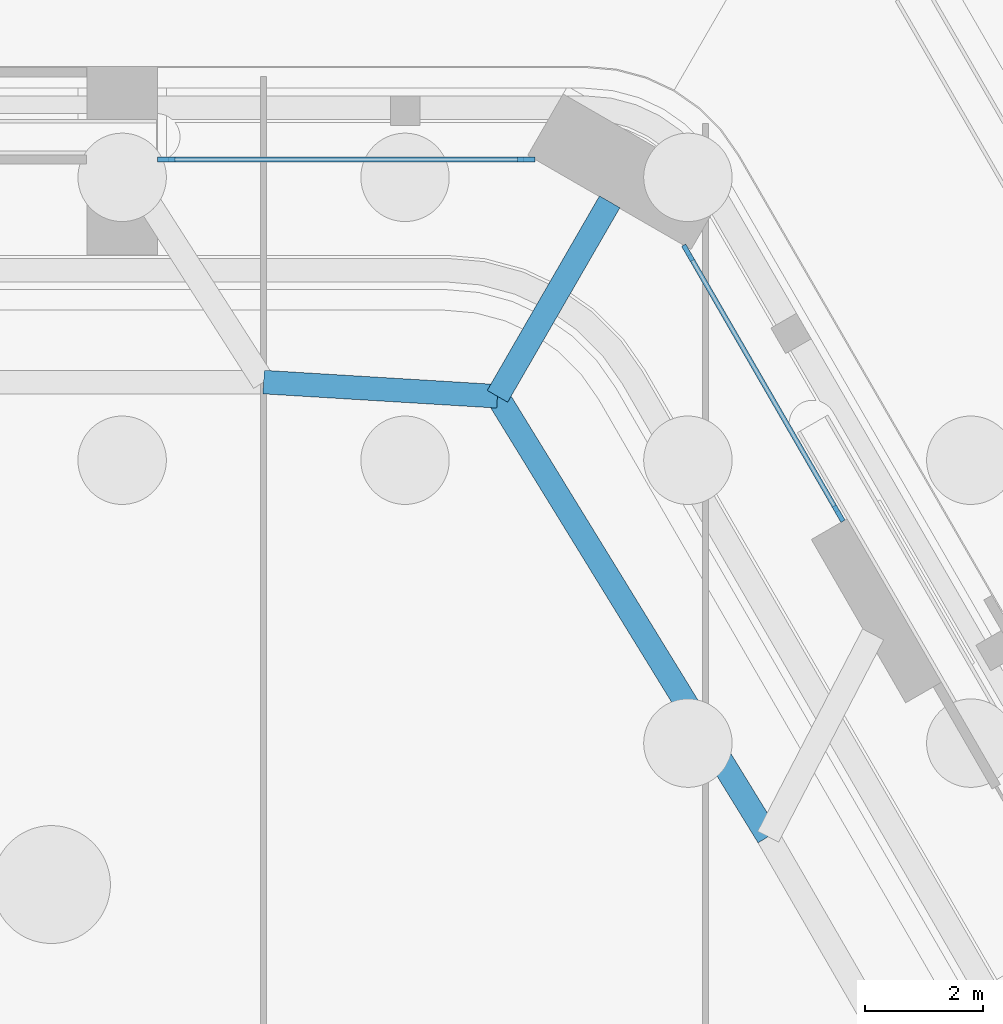
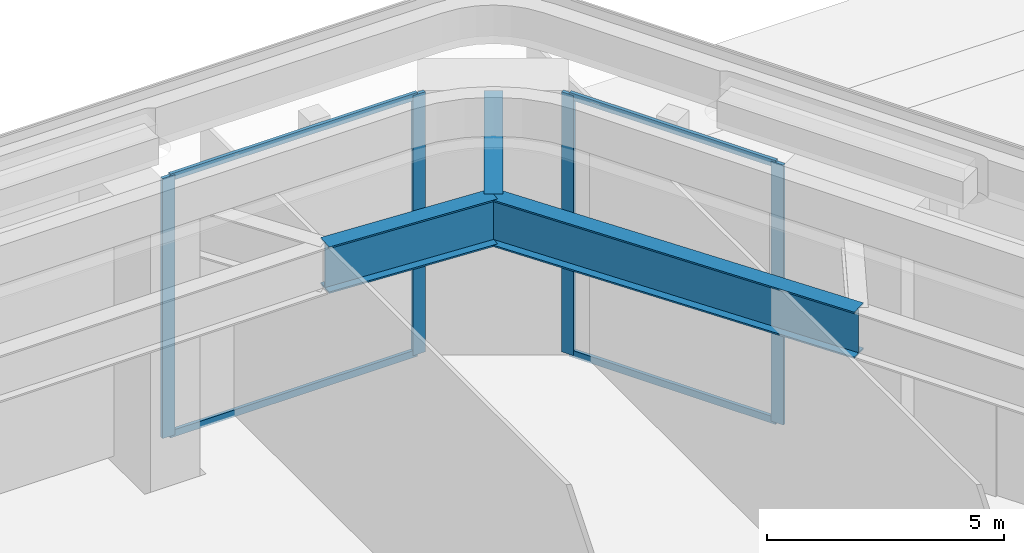
# One storey, part 9 of 68: 8 members, 3 beams, 2 elements without a shape of their own.
"""IFC4 building model written with IfcOpenShell, lengths in metres."""

from ifc_helpers import new_model, si_unit, direction, frame, origin, origin_2d, place, context, subcontext, project, spatial, rectangle, i_section, extrude, material, material_profile, profile_set, type_object, element, aggregate, save


model = new_model("IFC4")

# Units and contexts
model_context = context("Model", 3, precision=1e-05, world=origin(), true_north=direction((0.0, 1.0)))
body_context = subcontext(model_context, "Body", "Model", "MODEL_VIEW")
ifc_project = project(units=[si_unit("LENGTHUNIT", "METRE"), si_unit("AREAUNIT", "SQUARE_METRE"), si_unit("VOLUMEUNIT", "CUBIC_METRE"), si_unit("PLANEANGLEUNIT", "RADIAN"), si_unit("MASSUNIT", "GRAM", prefix="KILO")], contexts=[model_context])

# Site, building, storey
site_placement = place(None, origin())
site = spatial("IfcSite", under=ifc_project, at=site_placement, CompositionType="ELEMENT")
building_placement = place(site_placement, origin())
building = spatial("IfcBuilding", under=site, at=building_placement, Name="Kolab Exchange Tower", CompositionType="ELEMENT")
storey_placement = place(building_placement, origin())
storey = spatial("IfcBuildingStorey", under=building, at=storey_placement, Name="L00", CompositionType="ELEMENT", Elevation=0.0)

# Curtain wall, members
ifc_material_1 = material(Name="Aluminium EN AW-6063 T6", Category="aluminium")
curtain_wall_type = type_object("IfcCurtainWallType", Name="PODIUM STRUCTURAL GLAZING CURTAIN WALL", PredefinedType="NOTDEFINED", material=ifc_material_1)
curtain_wall_1_placement = place(storey_placement, origin())
curtain_wall_1 = element("IfcCurtainWall", 1, at=curtain_wall_1_placement, inside=storey, type_object=curtain_wall_type, Name="cw/L00/F1-2", PredefinedType="NOTDEFINED")
ifc_material_profile_1 = material_profile(ifc_material_1, rectangle(XDim=0.080078125, YDim=0.300048828125, at=origin_2d()), Name="RECT 80X300")
ifc_profile_set_1 = profile_set([ifc_material_profile_1], Name="Aluminium EN AW-6063 T6")
member_type_1 = type_object("IfcMemberType", Name="PODIUM STRUCTURAL GLAZING MULLION 80 X 300", PredefinedType="MULLION", material=ifc_profile_set_1)
member_1_placement = place(storey_placement, frame((19.949951171875, 48.302978515625, 0.0), z_axis=(0.0, 0.0, 1.0), x_axis=(0.0, 1.0, 0.0)))
member_1 = element("IfcMember", 2, at=member_1_placement, type_object=member_type_1, Name="CW5 mullion 1", PredefinedType="MULLION", context=body_context, shape_type="SweptSolid", body=[
    extrude(rectangle(XDim=0.080078125, YDim=0.300048828125, at=origin_2d()), origin(), (0.0, 0.0, 1.0), 6.699951171875),
])
member_2_placement = place(storey_placement, frame((26.058349609375, 48.302978515625, 0.0), z_axis=(0.0, 0.0, 1.0), x_axis=(0.0, 1.0, 0.0)))
member_2 = element("IfcMember", 3, at=member_2_placement, type_object=member_type_1, Name="CW5 mullion 2", PredefinedType="MULLION", context=body_context, shape_type="SweptSolid", body=[
    extrude(rectangle(XDim=0.080078125, YDim=0.300048828125, at=origin_2d()), origin(), (0.0, 0.0, 1.0), 6.699951171875),
])

curtain_wall_2_placement = place(storey_placement, origin())
curtain_wall_2 = element("IfcCurtainWall", 4, at=curtain_wall_2_placement, inside=storey, type_object=curtain_wall_type, Name="cw/L00/F2-1", PredefinedType="NOTDEFINED")
member_3_placement = place(storey_placement, frame((28.802490234375, 46.71875, 0.0), z_axis=(0.0, 0.0, 1.0), x_axis=(0.866025433568, 0.499999948413, 0.0)))
member_3 = element("IfcMember", 5, at=member_3_placement, type_object=member_type_1, Name="CW5 mullion 1", PredefinedType="MULLION", context=body_context, shape_type="SweptSolid", body=[
    extrude(rectangle(XDim=0.080078125, YDim=0.300048828125, at=origin_2d()), origin(), (0.0, 0.0, 1.0), 6.699951171875),
])
member_4_placement = place(storey_placement, frame((31.356689453125, 42.294677734375, 0.0), z_axis=(0.0, 0.0, 1.0), x_axis=(0.866025433568, 0.499999948413, 0.0)))
member_4 = element("IfcMember", 6, at=member_4_placement, type_object=member_type_1, Name="CW5 mullion 2", PredefinedType="MULLION", context=body_context, shape_type="SweptSolid", body=[
    extrude(rectangle(XDim=0.080078125, YDim=0.300048828125, at=origin_2d()), origin(), (0.0, 0.0, 1.0), 6.699951171875),
])

# Member
ifc_material_profile_2 = material_profile(ifc_material_1, rectangle(XDim=0.080078125, YDim=0.179931640625, at=origin_2d()), Name="RECT 80X180")
ifc_profile_set_2 = profile_set([ifc_material_profile_2], Name="Aluminium EN AW-6063 T6")
member_type_2 = type_object("IfcMemberType", Name="PODIUM STRUCTURAL GLAZING TRANSOM 80 X 180", PredefinedType="USERDEFINED", material=ifc_profile_set_2)
member_5_placement = place(storey_placement, frame((19.989990234375, 48.302978515625, 0.0400390625), z_axis=(1.0, 0.0, 0.0), x_axis=(0.0, 1.0, 0.0)))
member_5 = element("IfcMember", 7, at=member_5_placement, type_object=member_type_2, Name="CW5 transom 1.1", ObjectType="TRANSOM", PredefinedType="USERDEFINED", context=body_context, shape_type="SweptSolid", body=[
    extrude(rectangle(XDim=0.080078125, YDim=0.179931640625, at=origin_2d()), origin(), (0.0, 0.0, 1.0), 6.028564453125),
])

member_6_placement = place(storey_placement, frame((19.989990234375, 48.302978515625, 6.659912109375), z_axis=(1.0, 0.0, 0.0), x_axis=(0.0, 1.0, 0.0)))
member_6 = element("IfcMember", 8, at=member_6_placement, type_object=member_type_2, Name="CW5 transom 1.2", ObjectType="TRANSOM", PredefinedType="USERDEFINED", context=body_context, shape_type="SweptSolid", body=[
    extrude(rectangle(XDim=0.080078125, YDim=0.179931640625, at=origin_2d()), origin(), (0.0, 0.0, 1.0), 6.028564453125),
])

aggregate(curtain_wall_1, [member_1, member_2, member_5, member_6])

member_7_placement = place(storey_placement, frame((28.822509765625, 46.68408203125, 0.0400390625), z_axis=(0.49999283541, -0.866029540223, 0.0), x_axis=(0.866029540223, 0.49999283541, 0.0)))
member_7 = element("IfcMember", 9, at=member_7_placement, type_object=member_type_2, Name="CW5 transom 1.1", ObjectType="TRANSOM", PredefinedType="USERDEFINED", context=body_context, shape_type="SweptSolid", body=[
    extrude(rectangle(XDim=0.080078125, YDim=0.179931640625, at=origin_2d()), origin(), (0.0, 0.0, 1.0), 5.0283203125),
])

member_8_placement = place(storey_placement, frame((28.822509765625, 46.68408203125, 6.659912109375), z_axis=(0.49999283541, -0.866029540223, 0.0), x_axis=(0.866029540223, 0.49999283541, 0.0)))
member_8 = element("IfcMember", 10, at=member_8_placement, type_object=member_type_2, Name="CW5 transom 1.2", ObjectType="TRANSOM", PredefinedType="USERDEFINED", context=body_context, shape_type="SweptSolid", body=[
    extrude(rectangle(XDim=0.080078125, YDim=0.179931640625, at=origin_2d()), origin(), (0.0, 0.0, 1.0), 5.0283203125),
])

aggregate(curtain_wall_2, [member_3, member_4, member_7, member_8])

# Beams
ifc_material_2 = material(Name="Steel S355", Category="steel")
ifc_material_profile_3 = material_profile(ifc_material_2, i_section(OverallWidth=0.39990234375, OverallDepth=1.199951171875, WebThickness=0.02490234375, FlangeThickness=0.0400390625, at=origin_2d()), Name="PG1200X400")
ifc_profile_set_3 = profile_set([ifc_material_profile_3], Name="Steel S355")
beam_type = type_object("IfcBeamType", Name="TRANSFER GIRDER PG1200X400", PredefinedType="BEAM", material=ifc_profile_set_3)
beam_1_placement = place(storey_placement, frame((25.56787109375, 44.284912109375, 6.10009765625), z_axis=(0.500005339912, 0.866022320763, 0.0), x_axis=(-0.866022320763, 0.500005339912, 0.0)))
element("IfcBeam", 11, at=beam_1_placement, inside=storey, type_object=beam_type, Name="beam/L00/tg/P1-F2-01", PredefinedType="BEAM", context=body_context, shape_type="SweptSolid", body=[
    extrude(i_section(OverallWidth=0.39990234375, OverallDepth=1.199951171875, WebThickness=0.02490234375, FlangeThickness=0.0400390625, at=origin_2d()), origin(), (0.0, 0.0, 1.0), 3.81005859375),
])
beam_2_placement = place(storey_placement, frame((21.60009765625, 44.526123046875, 6.10009765625), z_axis=(0.998157241072, -0.060680491889, 0.0), x_axis=(0.060680491889, 0.998157241072, 0.0)))
element("IfcBeam", 12, at=beam_2_placement, inside=storey, type_object=beam_type, Name="beam/L00/rg/P1-F1-11", PredefinedType="BEAM", context=body_context, shape_type="SweptSolid", body=[
    extrude(i_section(OverallWidth=0.39990234375, OverallDepth=1.199951171875, WebThickness=0.02490234375, FlangeThickness=0.0400390625, at=origin_2d()), origin(), (0.0, 0.0, 1.0), 3.97509765625),
])
beam_3_placement = place(storey_placement, frame((25.56787109375, 44.284912109375, 6.10009765625), z_axis=(0.52363922529, -0.851940116286, 0.0), x_axis=(0.851940116286, 0.52363922529, 0.0)))
element("IfcBeam", 13, at=beam_3_placement, inside=storey, type_object=beam_type, Name="beam/L00/rg/P1-F2-01", PredefinedType="BEAM", context=body_context, shape_type="SweptSolid", body=[
    extrude(i_section(OverallWidth=0.39990234375, OverallDepth=1.199951171875, WebThickness=0.02490234375, FlangeThickness=0.0400390625, at=origin_2d()), origin(), (0.0, 0.0, 1.0), 8.771240234375),
])

save(model, "model.ifc")
